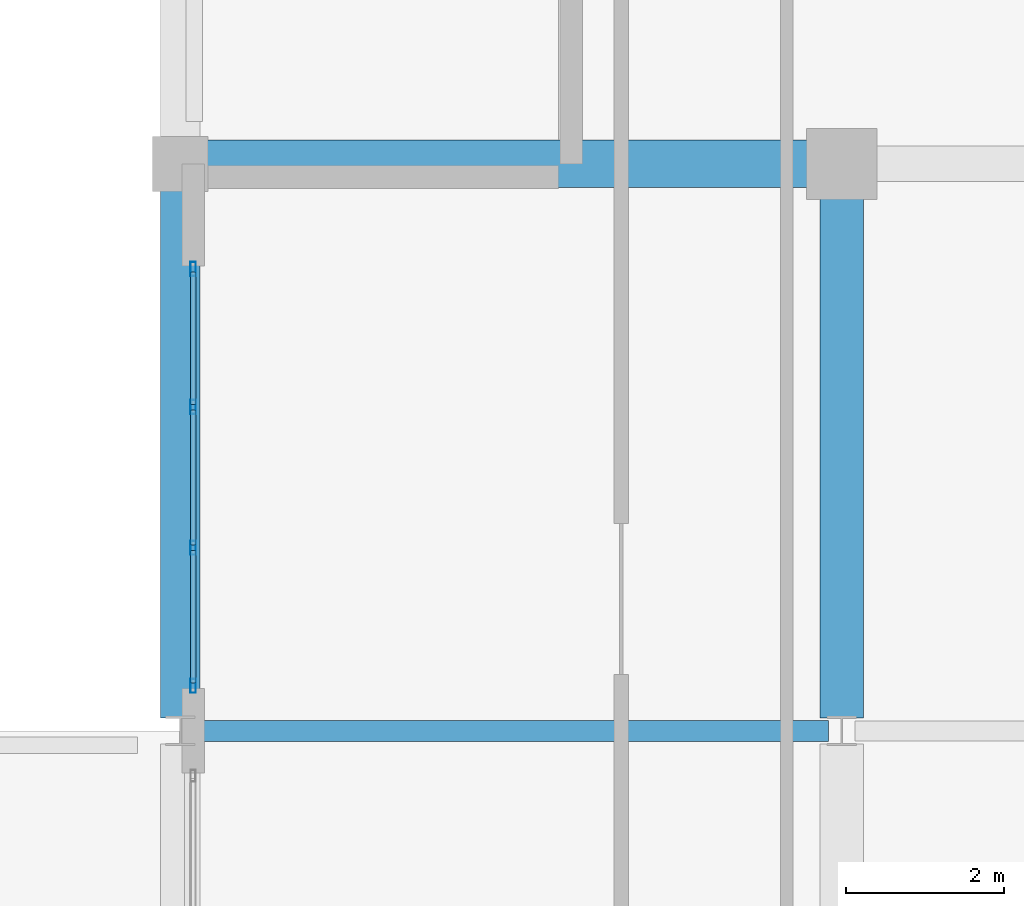
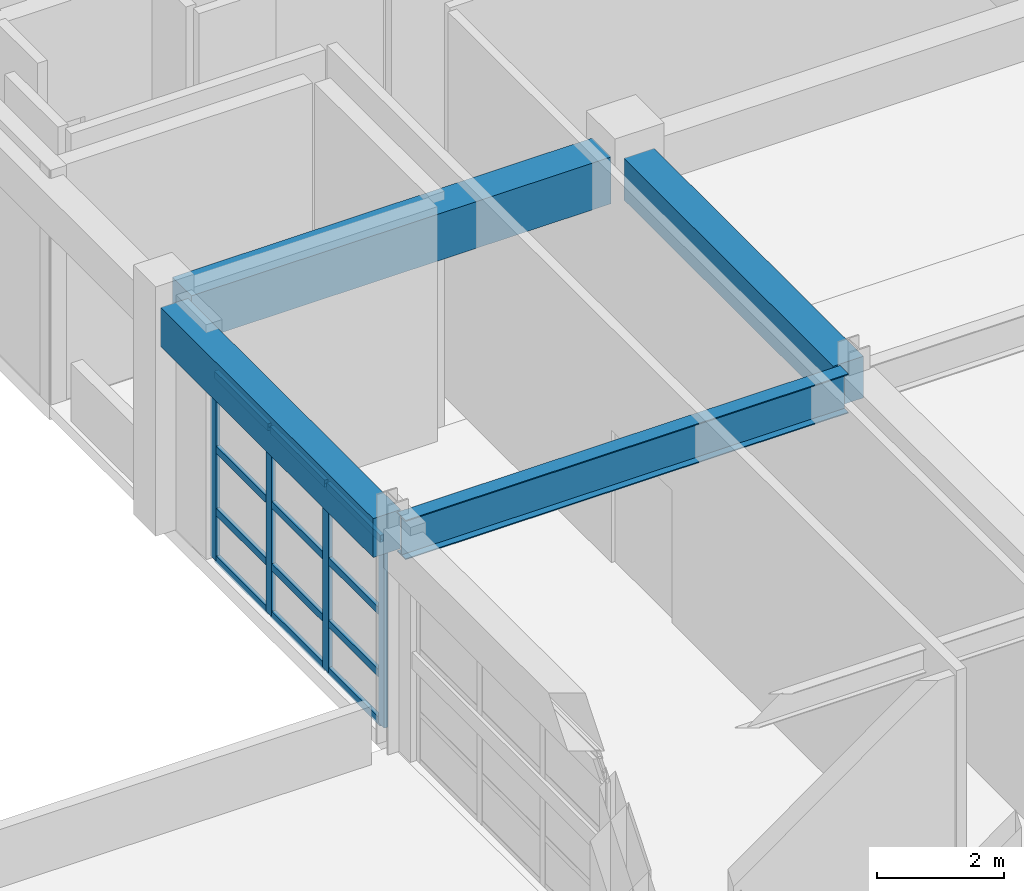
# One storey, part 38 of 123: 16 members, 4 beams, 1 element without a shape of its own.
"""IFC4 building model written with IfcOpenShell, lengths in metres."""

from ifc_helpers import new_model, si_unit, direction, frame, origin, origin_2d, place, context, subcontext, project, spatial, rectangle, hollow_rectangle, i_section, extrude, material, layer, layer_set, material_profile, profile_set, type_object, element, aggregate, save


model = new_model("IFC4")

# Units and contexts
model_context = context("Model", 3, precision=1e-05, world=origin(), true_north=direction((0.0, 1.0)))
body_context = subcontext(model_context, "Body", "Model", "MODEL_VIEW")
ifc_project = project(units=[si_unit("LENGTHUNIT", "METRE"), si_unit("AREAUNIT", "SQUARE_METRE"), si_unit("VOLUMEUNIT", "CUBIC_METRE"), si_unit("PLANEANGLEUNIT", "RADIAN"), si_unit("MASSUNIT", "GRAM", prefix="KILO")], contexts=[model_context])

# Site, building, storey
site_placement = place(None, origin())
site = spatial("IfcSite", under=ifc_project, at=site_placement, CompositionType="ELEMENT")
building_placement = place(site_placement, origin())
building = spatial("IfcBuilding", under=site, at=building_placement, Name="Quendrovan Civic Courthouse", CompositionType="ELEMENT")
storey_placement = place(building_placement, frame((0.0, 0.0, 5.39990234375)))
storey = spatial("IfcBuildingStorey", under=building, at=storey_placement, Name="L02", CompositionType="ELEMENT", Elevation=5.39990234375)

# Beams
ifc_material_1 = material(Name="Concrete C40/50", Category="concrete")
ifc_material_profile_1 = material_profile(ifc_material_1, rectangle(XDim=0.5, YDim=0.75, at=origin_2d()), Name="RC-BM-500x750")
ifc_profile_set_1 = profile_set([ifc_material_profile_1], Name="Concrete C40/50")
beam_type_1 = type_object("IfcBeamType", Name="BM-RC750", PredefinedType="SPANDREL", material=ifc_profile_set_1)
beam_1_placement = place(storey_placement, frame((33.60009765625, 80.56591796875, 3.985107421875), z_axis=(0.0, 1.0, 0.0), x_axis=(-1.0, 0.0, 0.0)))
element("IfcBeam", 1, at=beam_1_placement, inside=storey, type_object=beam_type_1, Name="L02 Girder Y0639", PredefinedType="SPANDREL", context=body_context, shape_type="SweptSolid", body=[
    extrude(rectangle(XDim=0.5, YDim=0.75, at=origin_2d()), origin(), (0.0, 0.0, 1.0), 6.7041015625),
])
ifc_material_profile_2 = material_profile(ifc_material_1, rectangle(XDim=0.550048828125, YDim=0.800048828125, at=origin_2d()), Name="RC-BM-550x800")
ifc_profile_set_2 = profile_set([ifc_material_profile_2], Name="Concrete C40/50")
beam_type_2 = type_object("IfcBeamType", Name="BM-RC800", PredefinedType="BEAM", material=ifc_profile_set_2)
beam_2_placement = place(storey_placement, frame((42.0, 80.56591796875, 3.960205078125), z_axis=(0.0, 1.0, 0.0), x_axis=(-1.0, 0.0, 0.0)))
element("IfcBeam", 2, at=beam_2_placement, inside=storey, type_object=beam_type_2, Name="L02 Girder Y0647", PredefinedType="BEAM", context=body_context, shape_type="SweptSolid", body=[
    extrude(rectangle(XDim=0.550048828125, YDim=0.800048828125, at=origin_2d()), origin(), (0.0, 0.0, 1.0), 6.60400390625),
])
ifc_material_profile_3 = material_profile(ifc_material_1, rectangle(XDim=0.60009765625, YDim=0.89990234375, at=origin_2d()), Name="RC-BM-600x900")
ifc_profile_set_3 = profile_set([ifc_material_profile_3], Name="Concrete C40/50")
beam_type_3 = type_object("IfcBeamType", Name="BM-RC900", PredefinedType="BEAM", material=ifc_profile_set_3)
beam_3_placement = place(storey_placement, frame((33.929931640625, 87.60009765625, 3.91015625), z_axis=(1.0, 0.0, 0.0), x_axis=(0.0, 1.0, 0.0)))
element("IfcBeam", 3, at=beam_3_placement, inside=storey, type_object=beam_type_3, Name="L02 Girder X0551", PredefinedType="BEAM", context=body_context, shape_type="SweptSolid", body=[
    extrude(rectangle(XDim=0.60009765625, YDim=0.89990234375, at=origin_2d()), origin(), (0.0, 0.0, 1.0), 7.64013671875),
])
ifc_material_2 = material(Name="Steel ASTM A992 Grade 50", Category="steel")
ifc_material_profile_4 = material_profile(ifc_material_2, i_section(OverallWidth=0.26611328125, OverallDepth=0.758056640625, WebThickness=0.013916015625, FlangeThickness=0.019287109375, at=origin_2d()), Name="W30X108")
ifc_profile_set_4 = profile_set([ifc_material_profile_4], Name="Steel ASTM A992 Grade 50")
beam_type_4 = type_object("IfcBeamType", Name="BM-STL-W30", PredefinedType="BEAM", material=ifc_profile_set_4)
beam_4_placement = place(storey_placement, frame((33.76708984375, 80.39990234375, 3.981201171875), z_axis=(1.0, 0.0, 0.0), x_axis=(0.0, 1.0, 0.0)))
element("IfcBeam", 4, at=beam_4_placement, inside=storey, type_object=beam_type_4, Name="L02 Girder X0546", PredefinedType="BEAM", context=body_context, shape_type="SweptSolid", body=[
    extrude(i_section(OverallWidth=0.26611328125, OverallDepth=0.758056640625, WebThickness=0.013916015625, FlangeThickness=0.019287109375, at=origin_2d()), origin(), (0.0, 0.0, 1.0), 8.06591796875),
])

# Curtain wall, members
ifc_material_3 = material(Name="Bronze anodised aluminium and low-E glass", Category="aluminium")
ifc_layer = layer(ifc_material_3, 0.179931640625, Name="Bronze anodised aluminium and low-E glass")
ifc_layer_set = layer_set([ifc_layer], Name="Bronze anodised aluminium and low-E glass")
curtain_wall_type = type_object("IfcCurtainWallType", Name="CW-U54x36", PredefinedType="USERDEFINED", material=ifc_layer_set)
curtain_wall_placement = place(storey_placement, origin())
curtain_wall = element("IfcCurtainWall", 5, at=curtain_wall_placement, inside=storey, type_object=curtain_wall_type, Name="L02 Unitised Hurricane Curtain Wall CW-116", ObjectType="UNITISED CURTAIN WALL", PredefinedType="USERDEFINED")
ifc_material_4 = material(Name="Bronze anodised aluminium", Category="aluminium")
ifc_material_profile_5 = material_profile(ifc_material_4, hollow_rectangle(XDim=0.070068359375, YDim=0.179931640625, WallThickness=0.00390625, at=origin_2d()), Name="CW-MULL-70x180")
ifc_profile_set_5 = profile_set([ifc_material_profile_5], Name="Bronze anodised aluminium")
member_type_1 = type_object("IfcMemberType", Name="CW-MULL-A", PredefinedType="MULLION", material=ifc_profile_set_5)
member_1_placement = place(storey_placement, frame((33.764892578125, 80.971923828125, 0.0), z_axis=(0.0, 0.0, 1.0), x_axis=(-1.0, 0.0, 0.0)))
member_1 = element("IfcMember", 6, at=member_1_placement, type_object=member_type_1, Name="CW-116 mullion 1", PredefinedType="MULLION", context=body_context, shape_type="SweptSolid", body=[
    extrude(hollow_rectangle(XDim=0.070068359375, YDim=0.179931640625, WallThickness=0.00390625, at=origin_2d()), origin(), (0.0, 0.0, 1.0), 3.60009765625),
])
member_2_placement = place(storey_placement, frame((33.764892578125, 82.724609375, 0.0), z_axis=(0.0, 0.0, 1.0), x_axis=(-1.0, 0.0, 0.0)))
member_2 = element("IfcMember", 7, at=member_2_placement, type_object=member_type_1, Name="CW-116 mullion 2", PredefinedType="MULLION", context=body_context, shape_type="SweptSolid", body=[
    extrude(hollow_rectangle(XDim=0.070068359375, YDim=0.179931640625, WallThickness=0.00390625, at=origin_2d()), origin(), (0.0, 0.0, 1.0), 3.60009765625),
])
member_3_placement = place(storey_placement, frame((33.764892578125, 84.512451171875, 0.0), z_axis=(0.0, 0.0, 1.0), x_axis=(-1.0, 0.0, 0.0)))
member_3 = element("IfcMember", 8, at=member_3_placement, type_object=member_type_1, Name="CW-116 mullion 3", PredefinedType="MULLION", context=body_context, shape_type="SweptSolid", body=[
    extrude(hollow_rectangle(XDim=0.070068359375, YDim=0.179931640625, WallThickness=0.00390625, at=origin_2d()), origin(), (0.0, 0.0, 1.0), 3.60009765625),
])
member_4_placement = place(storey_placement, frame((33.764892578125, 86.264892578125, 0.0), z_axis=(0.0, 0.0, 1.0), x_axis=(-1.0, 0.0, 0.0)))
member_4 = element("IfcMember", 9, at=member_4_placement, type_object=member_type_1, Name="CW-116 mullion 4", PredefinedType="MULLION", context=body_context, shape_type="SweptSolid", body=[
    extrude(hollow_rectangle(XDim=0.070068359375, YDim=0.179931640625, WallThickness=0.00390625, at=origin_2d()), origin(), (0.0, 0.0, 1.0), 3.60009765625),
])
ifc_material_profile_6 = material_profile(ifc_material_4, hollow_rectangle(XDim=0.070068359375, YDim=0.139892578125, WallThickness=0.00390625, at=origin_2d()), Name="CW-TRAN-70x140")
ifc_profile_set_6 = profile_set([ifc_material_profile_6], Name="Bronze anodised aluminium")
member_type_2 = type_object("IfcMemberType", Name="CW-TRAN-A", PredefinedType="USERDEFINED", material=ifc_profile_set_6)
member_5_placement = place(storey_placement, frame((33.764892578125, 81.007080078125, 0.03515625), z_axis=(0.0, 1.0, 0.0), x_axis=(-1.0, 0.0, 0.0)))
member_5 = element("IfcMember", 10, at=member_5_placement, type_object=member_type_2, Name="CW-116 transom 1.1", ObjectType="TRANSOM", PredefinedType="USERDEFINED", context=body_context, shape_type="SweptSolid", body=[
    extrude(hollow_rectangle(XDim=0.070068359375, YDim=0.139892578125, WallThickness=0.00390625, at=origin_2d()), origin(), (0.0, 0.0, 1.0), 1.6826171875),
])
member_6_placement = place(storey_placement, frame((33.764892578125, 81.007080078125, 0.9501953125), z_axis=(0.0, 1.0, 0.0), x_axis=(-1.0, 0.0, 0.0)))
member_6 = element("IfcMember", 11, at=member_6_placement, type_object=member_type_2, Name="CW-116 transom 1.2", ObjectType="TRANSOM", PredefinedType="USERDEFINED", context=body_context, shape_type="SweptSolid", body=[
    extrude(hollow_rectangle(XDim=0.070068359375, YDim=0.139892578125, WallThickness=0.00390625, at=origin_2d()), origin(), (0.0, 0.0, 1.0), 1.6826171875),
])
member_7_placement = place(storey_placement, frame((33.764892578125, 81.007080078125, 2.150146484375), z_axis=(0.0, 1.0, 0.0), x_axis=(-1.0, 0.0, 0.0)))
member_7 = element("IfcMember", 12, at=member_7_placement, type_object=member_type_2, Name="CW-116 transom 1.3", ObjectType="TRANSOM", PredefinedType="USERDEFINED", context=body_context, shape_type="SweptSolid", body=[
    extrude(hollow_rectangle(XDim=0.070068359375, YDim=0.139892578125, WallThickness=0.00390625, at=origin_2d()), origin(), (0.0, 0.0, 1.0), 1.6826171875),
])
member_8_placement = place(storey_placement, frame((33.764892578125, 81.007080078125, 3.565185546875), z_axis=(0.0, 1.0, 0.0), x_axis=(-1.0, 0.0, 0.0)))
member_8 = element("IfcMember", 13, at=member_8_placement, type_object=member_type_2, Name="CW-116 transom 1.4", ObjectType="TRANSOM", PredefinedType="USERDEFINED", context=body_context, shape_type="SweptSolid", body=[
    extrude(hollow_rectangle(XDim=0.070068359375, YDim=0.139892578125, WallThickness=0.00390625, at=origin_2d()), origin(), (0.0, 0.0, 1.0), 1.6826171875),
])
member_9_placement = place(storey_placement, frame((33.764892578125, 82.759765625, 0.03515625), z_axis=(0.0, 1.0, 0.0), x_axis=(-1.0, 0.0, 0.0)))
member_9 = element("IfcMember", 14, at=member_9_placement, type_object=member_type_2, Name="CW-116 transom 2.1", ObjectType="TRANSOM", PredefinedType="USERDEFINED", context=body_context, shape_type="SweptSolid", body=[
    extrude(hollow_rectangle(XDim=0.070068359375, YDim=0.139892578125, WallThickness=0.00390625, at=origin_2d()), origin(), (0.0, 0.0, 1.0), 1.717529296875),
])
member_10_placement = place(storey_placement, frame((33.764892578125, 82.759765625, 0.9501953125), z_axis=(0.0, 1.0, 0.0), x_axis=(-1.0, 0.0, 0.0)))
member_10 = element("IfcMember", 15, at=member_10_placement, type_object=member_type_2, Name="CW-116 transom 2.2", ObjectType="TRANSOM", PredefinedType="USERDEFINED", context=body_context, shape_type="SweptSolid", body=[
    extrude(hollow_rectangle(XDim=0.070068359375, YDim=0.139892578125, WallThickness=0.00390625, at=origin_2d()), origin(), (0.0, 0.0, 1.0), 1.717529296875),
])
member_11_placement = place(storey_placement, frame((33.764892578125, 82.759765625, 2.150146484375), z_axis=(0.0, 1.0, 0.0), x_axis=(-1.0, 0.0, 0.0)))
member_11 = element("IfcMember", 16, at=member_11_placement, type_object=member_type_2, Name="CW-116 transom 2.3", ObjectType="TRANSOM", PredefinedType="USERDEFINED", context=body_context, shape_type="SweptSolid", body=[
    extrude(hollow_rectangle(XDim=0.070068359375, YDim=0.139892578125, WallThickness=0.00390625, at=origin_2d()), origin(), (0.0, 0.0, 1.0), 1.717529296875),
])
member_12_placement = place(storey_placement, frame((33.764892578125, 82.759765625, 3.565185546875), z_axis=(0.0, 1.0, 0.0), x_axis=(-1.0, 0.0, 0.0)))
member_12 = element("IfcMember", 17, at=member_12_placement, type_object=member_type_2, Name="CW-116 transom 2.4", ObjectType="TRANSOM", PredefinedType="USERDEFINED", context=body_context, shape_type="SweptSolid", body=[
    extrude(hollow_rectangle(XDim=0.070068359375, YDim=0.139892578125, WallThickness=0.00390625, at=origin_2d()), origin(), (0.0, 0.0, 1.0), 1.717529296875),
])
member_13_placement = place(storey_placement, frame((33.764892578125, 84.54736328125, 0.03515625), z_axis=(0.0, 1.0, 0.0), x_axis=(-1.0, 0.0, 0.0)))
member_13 = element("IfcMember", 18, at=member_13_placement, type_object=member_type_2, Name="CW-116 transom 3.1", ObjectType="TRANSOM", PredefinedType="USERDEFINED", context=body_context, shape_type="SweptSolid", body=[
    extrude(hollow_rectangle(XDim=0.070068359375, YDim=0.139892578125, WallThickness=0.00390625, at=origin_2d()), origin(), (0.0, 0.0, 1.0), 1.6826171875),
])
member_14_placement = place(storey_placement, frame((33.764892578125, 84.54736328125, 0.9501953125), z_axis=(0.0, 1.0, 0.0), x_axis=(-1.0, 0.0, 0.0)))
member_14 = element("IfcMember", 19, at=member_14_placement, type_object=member_type_2, Name="CW-116 transom 3.2", ObjectType="TRANSOM", PredefinedType="USERDEFINED", context=body_context, shape_type="SweptSolid", body=[
    extrude(hollow_rectangle(XDim=0.070068359375, YDim=0.139892578125, WallThickness=0.00390625, at=origin_2d()), origin(), (0.0, 0.0, 1.0), 1.6826171875),
])
member_15_placement = place(storey_placement, frame((33.764892578125, 84.54736328125, 2.150146484375), z_axis=(0.0, 1.0, 0.0), x_axis=(-1.0, 0.0, 0.0)))
member_15 = element("IfcMember", 20, at=member_15_placement, type_object=member_type_2, Name="CW-116 transom 3.3", ObjectType="TRANSOM", PredefinedType="USERDEFINED", context=body_context, shape_type="SweptSolid", body=[
    extrude(hollow_rectangle(XDim=0.070068359375, YDim=0.139892578125, WallThickness=0.00390625, at=origin_2d()), origin(), (0.0, 0.0, 1.0), 1.6826171875),
])
member_16_placement = place(storey_placement, frame((33.764892578125, 84.54736328125, 3.565185546875), z_axis=(0.0, 1.0, 0.0), x_axis=(-1.0, 0.0, 0.0)))
member_16 = element("IfcMember", 21, at=member_16_placement, type_object=member_type_2, Name="CW-116 transom 3.4", ObjectType="TRANSOM", PredefinedType="USERDEFINED", context=body_context, shape_type="SweptSolid", body=[
    extrude(hollow_rectangle(XDim=0.070068359375, YDim=0.139892578125, WallThickness=0.00390625, at=origin_2d()), origin(), (0.0, 0.0, 1.0), 1.6826171875),
])
aggregate(curtain_wall, [member_1, member_2, member_3, member_4, member_5, member_6, member_7, member_8, member_9, member_10, member_11, member_12, member_13, member_14, member_15, member_16])

save(model, "model.ifc")
